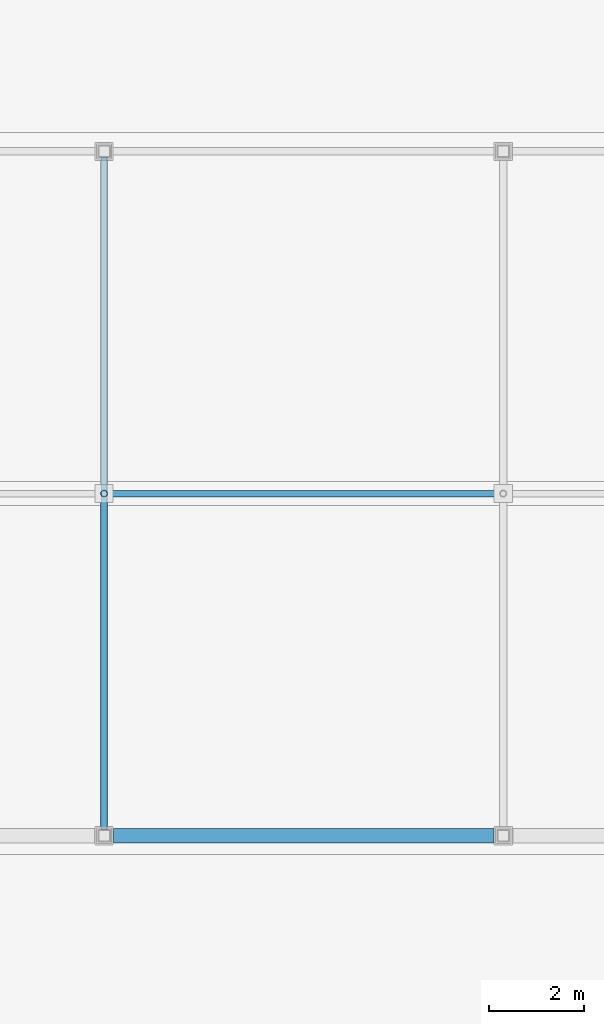
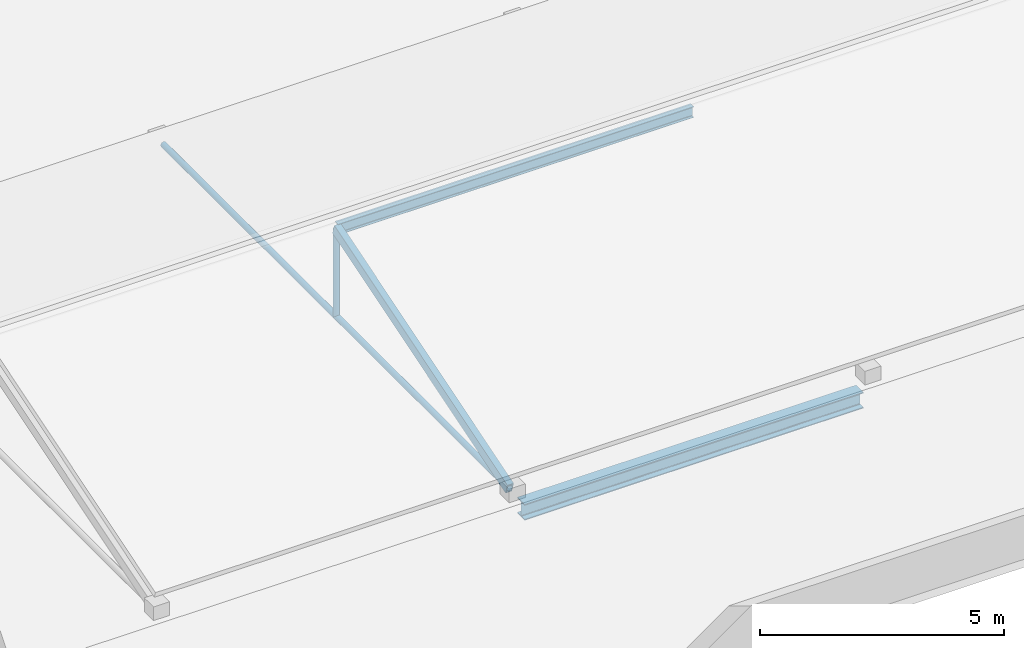
# One storey, part 4 of 16: 3 members, 2 beams.
"""IFC4 building model written with IfcOpenShell, lengths in metres."""

from ifc_helpers import new_model, si_unit, direction, frame, origin, origin_2d, place, context, subcontext, project, spatial, hollow_rectangle, hollow_circle, i_section, extrude, material, material_profile, profile_set, type_object, element, save


model = new_model("IFC4")

# Units and contexts
model_context = context("Model", 3, precision=1e-05, world=origin(), true_north=direction((0.0, 1.0)))
body_context = subcontext(model_context, "Body", "Model", "MODEL_VIEW")
ifc_project = project(units=[si_unit("LENGTHUNIT", "METRE"), si_unit("AREAUNIT", "SQUARE_METRE"), si_unit("VOLUMEUNIT", "CUBIC_METRE"), si_unit("PLANEANGLEUNIT", "RADIAN"), si_unit("MASSUNIT", "GRAM", prefix="KILO")], contexts=[model_context])

# Site, building, storey
site_placement = place(None, origin())
site = spatial("IfcSite", under=ifc_project, at=site_placement, CompositionType="ELEMENT")
building_placement = place(site_placement, origin())
building = spatial("IfcBuilding", under=site, at=building_placement, Name="Kenerak Square Central Library", CompositionType="ELEMENT")
storey_placement = place(building_placement, frame((0.0, 0.0, 27.840087890625)))
storey = spatial("IfcBuildingStorey", under=building, at=storey_placement, Name="L06", CompositionType="ELEMENT", Elevation=27.840087890625)

# Beam
ifc_material = material(Name="Steel S355", Category="steel")
ifc_material_profile_1 = material_profile(ifc_material, i_section(OverallWidth=0.300048828125, OverallDepth=0.39990234375, WebThickness=0.013427734375, FlangeThickness=0.02392578125, FilletRadius=0.027099609375, at=origin_2d()), Name="HEB 400")
ifc_profile_set_1 = profile_set([ifc_material_profile_1], Name="Steel S355")
beam_type_1 = type_object("IfcBeamType", Name="Atrium Edge Steel Beam SB-05 HEB 400 S355", PredefinedType="BEAM", material=ifc_profile_set_1)
beam_1_placement = place(storey_placement, frame((83.800048828125, 60.0, -0.400146484375), z_axis=(1.0, 0.0, 0.0), x_axis=(0.0, 1.0, 0.0)))
element("IfcBeam", 1, at=beam_1_placement, inside=storey, type_object=beam_type_1, Name="Atrium Lantern Edge Beam SB-05 02", PredefinedType="BEAM", context=body_context, shape_type="SweptSolid", body=[
    extrude(i_section(OverallWidth=0.300048828125, OverallDepth=0.39990234375, WebThickness=0.013427734375, FlangeThickness=0.02392578125, FilletRadius=0.027099609375, at=origin_2d()), origin(), (0.0, 0.0, 1.0), 8.0),
])

# Member
ifc_material_profile_2 = material_profile(ifc_material, hollow_rectangle(XDim=0.14990234375, YDim=0.25, WallThickness=0.010009765625, at=origin_2d()), Name="RHS 250x150x10.0")
ifc_profile_set_2 = profile_set([ifc_material_profile_2], Name="Steel S355")
member_type_1 = type_object("IfcMemberType", Name="Lantern Roof Rafter GM-05 RHS 250x150x10 S355", PredefinedType="RAFTER", material=ifc_profile_set_2)
member_1_placement = place(storey_placement, frame((83.60009765625, 60.1201171875, 0.10986328125), z_axis=(0.0, 0.954958640858, 0.296738932818), x_axis=(-1.0, 0.0, 0.0)))
element("IfcMember", 2, at=member_1_placement, inside=storey, type_object=member_type_1, Name="Atrium Lantern Roof Rafter 0275", PredefinedType="RAFTER", context=body_context, shape_type="SweptSolid", body=[
    extrude(hollow_rectangle(XDim=0.14990234375, YDim=0.25, WallThickness=0.010009765625, at=origin_2d()), origin(), (0.0, 0.0, 1.0), 7.413818359375),
])

# Beam
ifc_material_profile_3 = material_profile(ifc_material, i_section(OverallWidth=0.135009765625, OverallDepth=0.27001953125, WebThickness=0.006591796875, FlangeThickness=0.01025390625, FilletRadius=0.014892578125, at=origin_2d()), Name="IPE 270")
ifc_profile_set_3 = profile_set([ifc_material_profile_3], Name="Steel S355")
beam_type_2 = type_object("IfcBeamType", Name="Lantern Steel Joist SJ-03 IPE 270 S355", PredefinedType="JOIST", material=ifc_profile_set_3)
beam_2_placement = place(storey_placement, frame((83.60009765625, 67.199951171875, 2.309814453125), z_axis=(1.0, 0.0, 0.0), x_axis=(0.0, 1.0, 0.0)))
element("IfcBeam", 3, at=beam_2_placement, inside=storey, type_object=beam_type_2, Name="Lantern Ridge Steel Joist SJ-03 02", PredefinedType="JOIST", context=body_context, shape_type="SweptSolid", body=[
    extrude(i_section(OverallWidth=0.135009765625, OverallDepth=0.27001953125, WebThickness=0.006591796875, FlangeThickness=0.01025390625, FilletRadius=0.014892578125, at=origin_2d()), origin(), (0.0, 0.0, 1.0), 8.39990234375),
])

# Members
ifc_material_profile_4 = material_profile(ifc_material, hollow_circle(Radius=0.06982421875, WallThickness=0.00634765625, at=origin_2d()), Name="CHS 139.7x6.3")
ifc_profile_set_4 = profile_set([ifc_material_profile_4], Name="Steel S355")
member_type_2 = type_object("IfcMemberType", Name="Lantern Tie Strut LT-01 CHS 139.7x6.3 S355", PredefinedType="STRUT", material=ifc_profile_set_4)
member_2_placement = place(storey_placement, frame((83.60009765625, 60.1201171875, 0.10986328125), z_axis=(0.0, 1.0, 0.0), x_axis=(-1.0, 0.0, 0.0)))
element("IfcMember", 4, at=member_2_placement, inside=storey, type_object=member_type_2, Name="Atrium Lantern Tie Strut 0277", PredefinedType="STRUT", context=body_context, shape_type="SweptSolid", body=[
    extrude(hollow_circle(Radius=0.06982421875, WallThickness=0.00634765625, at=origin_2d()), origin(), (0.0, 0.0, 1.0), 14.159912109375),
])
member_3_placement = place(storey_placement, frame((83.60009765625, 67.199951171875, 0.10986328125), z_axis=(0.0, 0.0, 1.0), x_axis=(1.0, 0.0, 0.0)))
element("IfcMember", 5, at=member_3_placement, inside=storey, type_object=member_type_2, Name="Atrium Lantern King Post 0278", PredefinedType="STRUT", context=body_context, shape_type="SweptSolid", body=[
    extrude(hollow_circle(Radius=0.06982421875, WallThickness=0.00634765625, at=origin_2d()), origin(), (0.0, 0.0, 1.0), 2.199951171875),
])

save(model, "model.ifc")
